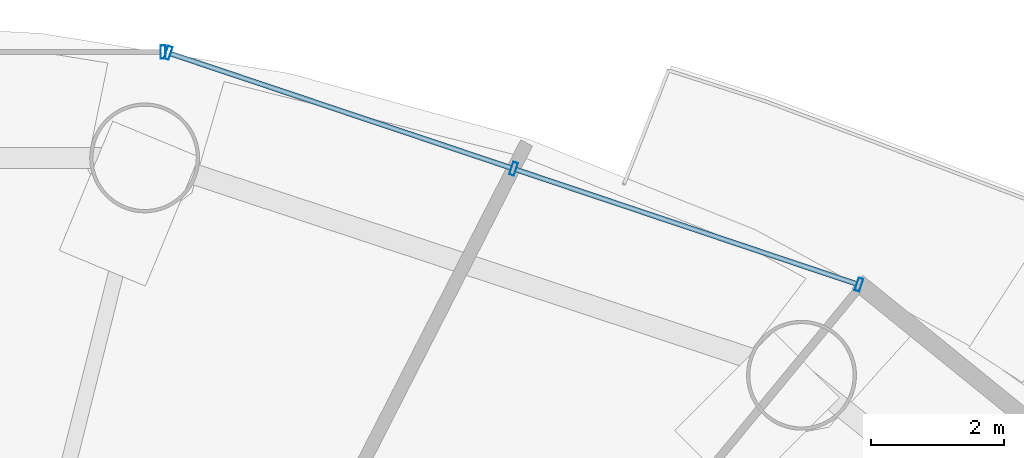
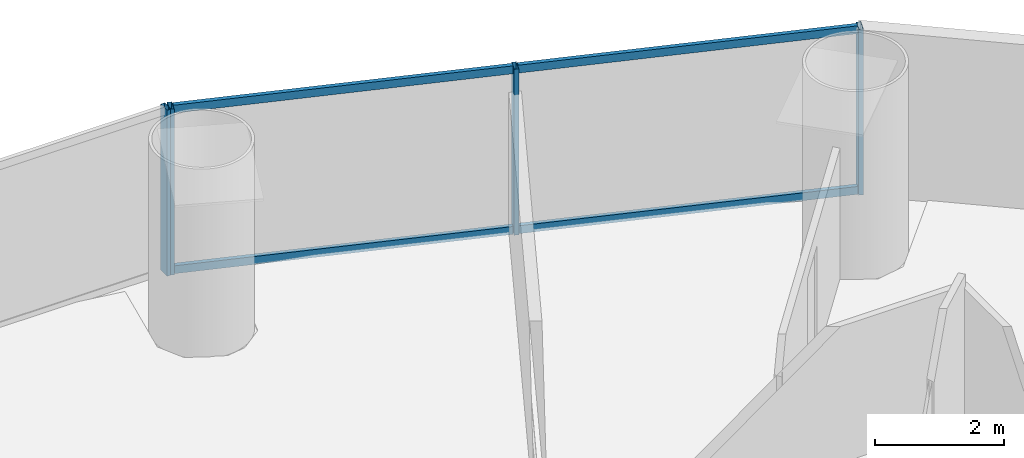
# One storey, part 20 of 29: 8 members, 2 elements without a shape of their own.
"""IFC4 building model written with IfcOpenShell, lengths in metres."""

from ifc_helpers import new_model, si_unit, direction, frame, origin, origin_2d, place, context, subcontext, project, spatial, hollow_rectangle, extrude, source, transform, mapped, material, material_profile, profile_set, type_object, element, aggregate, save


model = new_model("IFC4")

# Units and contexts
model_context = context("Model", 3, precision=1e-05, world=origin(), true_north=direction((-0.2419218956, 0.970295726276)))
body_context = subcontext(model_context, "Body", "Model", "MODEL_VIEW")
ifc_project = project(units=[si_unit("LENGTHUNIT", "METRE"), si_unit("AREAUNIT", "SQUARE_METRE"), si_unit("VOLUMEUNIT", "CUBIC_METRE"), si_unit("PLANEANGLEUNIT", "RADIAN"), si_unit("MASSUNIT", "GRAM", prefix="KILO")], contexts=[model_context])

# Site, building, storey
site_placement = place(None, origin())
site = spatial("IfcSite", under=ifc_project, at=site_placement, CompositionType="ELEMENT")
building_placement = place(site_placement, origin())
building = spatial("IfcBuilding", under=site, at=building_placement, Name="Cobrevalo Terracotta Tower", CompositionType="ELEMENT")
storey_placement = place(building_placement, frame((0.0, 0.0, 70.800048828125)))
storey = spatial("IfcBuildingStorey", under=building, at=storey_placement, Name="L18", CompositionType="ELEMENT", Elevation=70.800048828125)

# Curtain wall, members
ifc_material = material(Name="Anodized aluminium", Category="aluminium")
curtain_wall_type = type_object("IfcCurtainWallType", Name="Lower-tower unitised acoustic low-E curtain wall CW-U1", PredefinedType="NOTDEFINED", material=ifc_material)
curtain_wall_1_placement = place(storey_placement, origin())
curtain_wall_1 = element("IfcCurtainWall", 1, at=curtain_wall_1_placement, inside=storey, type_object=curtain_wall_type, Name="L18 curtain wall CW-L18-S03", PredefinedType="NOTDEFINED")
ifc_material_profile_1 = material_profile(ifc_material, hollow_rectangle(XDim=0.074951171875, YDim=0.14990234375, WallThickness=0.00439453125, at=origin_2d()), Name="CWT 75x150")
ifc_profile_set_1 = profile_set([ifc_material_profile_1], Name="Anodized aluminium")
member_type_1 = type_object("IfcMemberType", Name="Tower unitised aluminium transom 75x150", PredefinedType="USERDEFINED", material=ifc_profile_set_1)
shared_shape_1 = source(origin(), body_context, "Body", "SweptSolid", [
    extrude(hollow_rectangle(XDim=0.074951171875, YDim=0.14990234375, WallThickness=0.00439453125, at=origin_2d()), origin(), (0.0, 0.0, 1.0), 5.387939453125),
])
member_1_placement = place(storey_placement, frame((54.01904296875, 46.340087890625, 0.050048828125), z_axis=(-0.94804244582, 0.318143868278, 0.0), x_axis=(-0.318143868278, -0.94804244582, 0.0)))
member_1 = element("IfcMember", 2, at=member_1_placement, type_object=member_type_1, Name="CW-L18-S03 transom B01-T1", ObjectType="TRANSOM", PredefinedType="USERDEFINED", context=body_context, shape_type="MappedRepresentation", body=[
    mapped(shared_shape_1, transform((0.0, 0.0, 0.0), scale=1.0)),
])
member_2_placement = place(storey_placement, frame((54.01904296875, 46.340087890625, 3.099853515625), z_axis=(-0.94804244582, 0.318143868278, 0.0), x_axis=(-0.318143868278, -0.94804244582, 0.0)))
member_2 = element("IfcMember", 3, at=member_2_placement, type_object=member_type_1, Name="CW-L18-S03 transom B01-T2", ObjectType="TRANSOM", PredefinedType="USERDEFINED", context=body_context, shape_type="MappedRepresentation", body=[
    mapped(shared_shape_1, transform((0.0, 0.0, 0.0), scale=1.0)),
])
member_3_placement = place(storey_placement, frame((48.83544921875, 48.07958984375, 0.050048828125), z_axis=(-0.94804244582, 0.318143868278, 0.0), x_axis=(-0.318143868278, -0.94804244582, 0.0)))
member_3 = element("IfcMember", 4, at=member_3_placement, type_object=member_type_1, Name="CW-L18-S03 transom B02-T1", ObjectType="TRANSOM", PredefinedType="USERDEFINED", context=body_context, shape_type="MappedRepresentation", body=[
    mapped(shared_shape_1, transform((0.0, 0.0, 0.0), scale=1.0)),
])
member_4_placement = place(storey_placement, frame((48.83544921875, 48.07958984375, 3.099853515625), z_axis=(-0.94804244582, 0.318143868278, 0.0), x_axis=(-0.318143868278, -0.94804244582, 0.0)))
member_4 = element("IfcMember", 5, at=member_4_placement, type_object=member_type_1, Name="CW-L18-S03 transom B02-T2", ObjectType="TRANSOM", PredefinedType="USERDEFINED", context=body_context, shape_type="MappedRepresentation", body=[
    mapped(shared_shape_1, transform((0.0, 0.0, 0.0), scale=1.0)),
])
ifc_material_profile_2 = material_profile(ifc_material, hollow_rectangle(XDim=0.074951171875, YDim=0.199951171875, WallThickness=0.0048828125, at=origin_2d()), Name="CWM 75x200")
ifc_profile_set_2 = profile_set([ifc_material_profile_2], Name="Anodized aluminium")
member_type_2 = type_object("IfcMemberType", Name="Lower/mid tower unitised mullion 75x200", PredefinedType="MULLION", material=ifc_profile_set_2)
shared_shape_2 = source(origin(), body_context, "Body", "SweptSolid", [
    extrude(hollow_rectangle(XDim=0.074951171875, YDim=0.199951171875, WallThickness=0.0048828125, at=origin_2d()), origin(), (0.0, 0.0, 1.0), 3.14990234375),
])
member_5_placement = place(storey_placement, frame((54.056884765625, 46.327392578125, 0.0), z_axis=(0.0, 0.0, 1.0), x_axis=(-0.948046393597, 0.318132103987, 0.0)))
member_5 = element("IfcMember", 6, at=member_5_placement, type_object=member_type_2, Name="CW-L18-S03 vertical mullion 01", PredefinedType="MULLION", context=body_context, shape_type="MappedRepresentation", body=[
    mapped(shared_shape_2, transform((0.0, 0.0, 0.0), scale=1.0)),
])
member_6_placement = place(storey_placement, frame((48.873291015625, 48.06689453125, 0.0), z_axis=(0.0, 0.0, 1.0), x_axis=(-0.948046393597, 0.318132103987, 0.0)))
member_6 = element("IfcMember", 7, at=member_6_placement, type_object=member_type_2, Name="CW-L18-S03 vertical mullion 02", PredefinedType="MULLION", context=body_context, shape_type="MappedRepresentation", body=[
    mapped(shared_shape_2, transform((0.0, 0.0, 0.0), scale=1.0)),
])
member_7_placement = place(storey_placement, frame((43.689697265625, 49.806396484375, 0.0), z_axis=(0.0, 0.0, 1.0), x_axis=(-0.948046393597, 0.318132103987, 0.0)))
member_7 = element("IfcMember", 8, at=member_7_placement, type_object=member_type_2, Name="CW-L18-S03 vertical mullion 03", PredefinedType="MULLION", context=body_context, shape_type="MappedRepresentation", body=[
    mapped(shared_shape_2, transform((0.0, 0.0, 0.0), scale=1.0)),
])
aggregate(curtain_wall_1, [member_5, member_6, member_7, member_1, member_2, member_3, member_4])

# Curtain wall, member
curtain_wall_2_placement = place(storey_placement, origin())
curtain_wall_2 = element("IfcCurtainWall", 9, at=curtain_wall_2_placement, inside=storey, type_object=curtain_wall_type, Name="L18 curtain wall CW-L18-S04", PredefinedType="NOTDEFINED")
member_8_placement = place(storey_placement, frame((43.61181640625, 49.819091796875, 0.0), z_axis=(0.0, 0.0, 1.0), x_axis=(-1.0, 0.0, 0.0)))
member_8 = element("IfcMember", 10, at=member_8_placement, type_object=member_type_2, Name="CW-L18-S04 vertical mullion 01", PredefinedType="MULLION", context=body_context, shape_type="MappedRepresentation", body=[
    mapped(shared_shape_2, transform((0.0, 0.0, 0.0), scale=1.0)),
])
aggregate(curtain_wall_2, [member_8])

save(model, "model.ifc")
